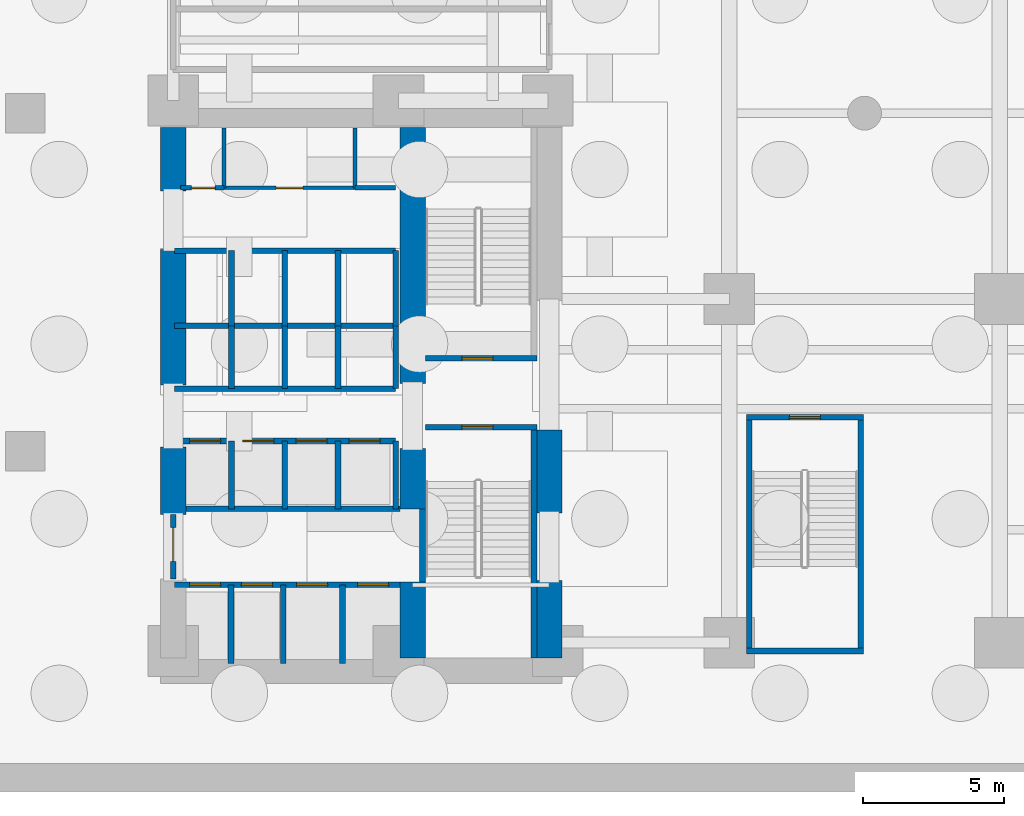
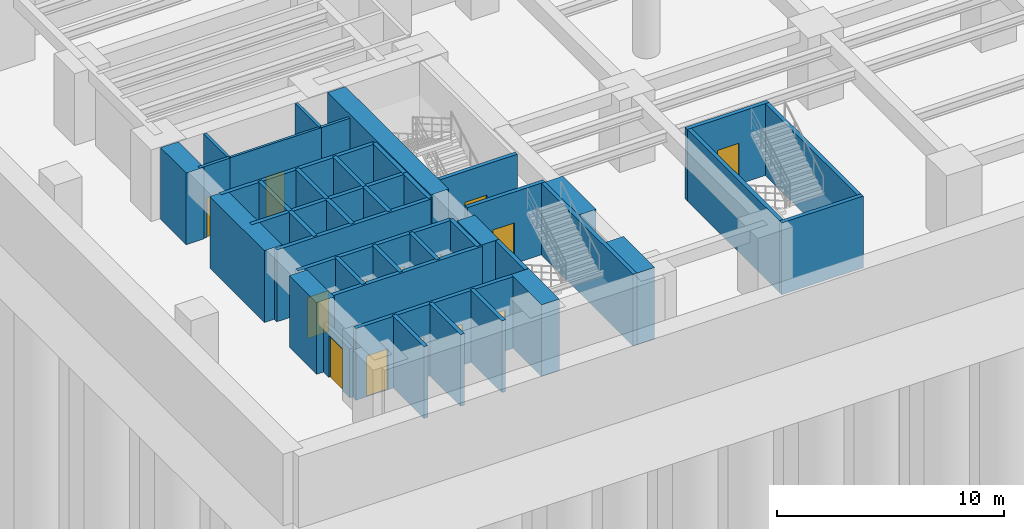
# One storey, part 3 of 6: 43 walls, 14 doors, 14 openings.
"""IFC4 building model written with IfcOpenShell, lengths in metres."""

from ifc_helpers import new_model, si_unit, direction, frame, frame_2d, origin, place, context, subcontext, project, spatial, rectangle, extrude, material, layer, layer_set, type_object, element, fill, save


model = new_model("IFC4")

# Units and contexts
model_context = context("Model", 3, precision=1e-05, world=origin(), true_north=direction((0.0, 1.0)))
body_context = subcontext(model_context, "Body", "Model", "MODEL_VIEW")
ifc_project = project(units=[si_unit("LENGTHUNIT", "METRE"), si_unit("AREAUNIT", "SQUARE_METRE"), si_unit("VOLUMEUNIT", "CUBIC_METRE"), si_unit("PLANEANGLEUNIT", "RADIAN"), si_unit("MASSUNIT", "GRAM", prefix="KILO")], contexts=[model_context])

# Site, building, storey
site_placement = place(None, origin())
site = spatial("IfcSite", under=ifc_project, at=site_placement, CompositionType="ELEMENT")
building_placement = place(site_placement, origin())
building = spatial("IfcBuilding", under=site, at=building_placement, Name="Kolvaren Waterfront Exchange", CompositionType="ELEMENT")
storey_placement = place(building_placement, frame((0.0, 0.0, -8.39990234375)))
storey = spatial("IfcBuildingStorey", under=building, at=storey_placement, Name="B02", CompositionType="ELEMENT", Elevation=-8.39990234375)

# Wall, opening, door
ifc_material_1 = material(Name="Precast concrete C40/50", Category="concrete")
ifc_layer_1 = layer(ifc_material_1, 0.199951171875, Name="Precast concrete C40/50")
ifc_layer_set_1 = layer_set([ifc_layer_1], Name="Precast concrete C40/50")
wall_type_1 = type_object("IfcWallType", Name="ARC-FIRE-200", PredefinedType="PARTITIONING", material=ifc_layer_set_1)
wall_1_placement = place(storey_placement, frame((16.39990234375, 12.85009765625, 0.0), z_axis=(0.0, 0.0, 1.0), x_axis=(1.0, 0.0, 0.0)))
wall_1 = element("IfcWall", 1, at=wall_1_placement, inside=storey, type_object=wall_type_1, Name="B02 interior wall PW-B02-ST1-THROAT-S", PredefinedType="PARTITIONING", context=body_context, shape_type="SweptSolid", body=[
    extrude(rectangle(XDim=3.960205078125, YDim=0.199951171875, at=frame_2d((1.97998046875, 0.0))), origin(), (0.0, 0.0, 1.0), 3.85986328125),
])
opening_1_placement = place(wall_1_placement, frame((1.3037109375, 0.0, 0.0)))
opening_1 = element("IfcOpeningElement", 2, at=opening_1_placement, cuts=wall_1, Name="Opening FD2", PredefinedType="OPENING", context=body_context, shape_type="SweptSolid", body=[
    extrude(rectangle(XDim=1.10009765625, YDim=2.199951171875, at=frame_2d((0.550048828125, 1.10009765625))), frame((0.0, 0.10986328125, 0.0), z_axis=(0.0, -1.0, 0.0), x_axis=(1.0, 0.0, 0.0)), (0.0, 0.0, 1.0), 0.219970703125),
])
ifc_material_2 = material(Name="Pressed steel smoke-seal fire door", Category="steel")
door_type_1 = type_object("IfcDoorType", Name="ARC-FD-1100", OperationType="NOTDEFINED", PredefinedType="DOOR", material=ifc_material_2)
door_1_placement = place(opening_1_placement, frame((1.10009765625, 0.0, 0.0), z_axis=(0.0, 0.0, 1.0), x_axis=(-1.0, 0.0, 0.0)))
door_1 = element("IfcDoor", 3, at=door_1_placement, inside=storey, type_object=door_type_1, Name="B02 door DR-B02-ST1-IN (FD2)", OperationType="SINGLE_SWING_RIGHT", OverallHeight=2.199951171875, OverallWidth=1.10009765625, PredefinedType="DOOR", context=body_context, shape_type="SweptSolid", body=[
    extrude(rectangle(XDim=1.10009765625, YDim=2.199951171875, at=frame_2d((0.550048828125, 1.10009765625))), frame((0.0, 0.02490234375, 0.0), z_axis=(0.0, -1.0, 0.0), x_axis=(1.0, 0.0, 0.0)), (0.0, 0.0, 1.0), 0.050048828125),
])
fill(opening_1, door_1)

wall_2_placement = place(storey_placement, frame((16.409912109375, 15.300048828125, 0.0), z_axis=(0.0, 0.0, 1.0), x_axis=(1.0, 0.0, 0.0)))
wall_2 = element("IfcWall", 4, at=wall_2_placement, inside=storey, type_object=wall_type_1, Name="B02 interior wall PW-B02-ST2-THROAT-N", PredefinedType="PARTITIONING", context=body_context, shape_type="SweptSolid", body=[
    extrude(rectangle(XDim=3.9501953125, YDim=0.199951171875, at=frame_2d((1.97509765625, 0.0))), origin(), (0.0, 0.0, 1.0), 3.85986328125),
])
opening_2_placement = place(wall_2_placement, frame((1.293701171875, 0.0, 0.0)))
opening_2 = element("IfcOpeningElement", 5, at=opening_2_placement, cuts=wall_2, Name="Opening FD2", PredefinedType="OPENING", context=body_context, shape_type="SweptSolid", body=[
    extrude(rectangle(XDim=1.10009765625, YDim=2.199951171875, at=frame_2d((0.550048828125, 1.10009765625))), frame((0.0, 0.10986328125, 0.0), z_axis=(0.0, -1.0, 0.0), x_axis=(1.0, 0.0, 0.0)), (0.0, 0.0, 1.0), 0.219970703125),
])
door_2_placement = place(opening_2_placement, origin())
door_2 = element("IfcDoor", 6, at=door_2_placement, inside=storey, type_object=door_type_1, Name="B02 door DR-B02-ST2-IN (FD2)", OperationType="SINGLE_SWING_LEFT", OverallHeight=2.199951171875, OverallWidth=1.10009765625, PredefinedType="DOOR", context=body_context, shape_type="SweptSolid", body=[
    extrude(rectangle(XDim=1.10009765625, YDim=2.199951171875, at=frame_2d((0.550048828125, 1.10009765625))), frame((0.0, 0.02490234375, 0.0), z_axis=(0.0, -1.0, 0.0), x_axis=(1.0, 0.0, 0.0)), (0.0, 0.0, 1.0), 0.050048828125),
])
fill(opening_2, door_2)

# Wall
wall_3_placement = place(storey_placement, frame((7.89990234375, 9.949951171875, 0.0), z_axis=(0.0, 0.0, 1.0), x_axis=(1.0, 0.0, 0.0)))
element("IfcWall", 7, at=wall_3_placement, inside=storey, type_object=wall_type_1, Name="B02 interior wall PW-B02-FF-N", PredefinedType="PARTITIONING", context=body_context, shape_type="SweptSolid", body=[
    extrude(rectangle(XDim=7.60009765625, YDim=0.199951171875, at=frame_2d((3.800048828125, 0.0))), origin(), (0.0, 0.0, 1.0), 3.85986328125),
])

# Wall, opening, door
wall_4_placement = place(storey_placement, frame((7.449951171875, 7.449951171875, 0.0), z_axis=(0.0, 0.0, 1.0), x_axis=(0.0, 1.0, 0.0)))
wall_4 = element("IfcWall", 8, at=wall_4_placement, inside=storey, type_object=wall_type_1, Name="B02 interior wall PW-B02-FF-W-DOOR", PredefinedType="PARTITIONING", context=body_context, shape_type="SweptSolid", body=[
    extrude(rectangle(XDim=2.300048828125, YDim=0.199951171875, at=frame_2d((1.14990234375, 0.0))), origin(), (0.0, 0.0, 1.0), 2.639892578125),
])
opening_3_placement = place(wall_4_placement, frame((0.63330078125, 0.0, 0.0)))
opening_3 = element("IfcOpeningElement", 9, at=opening_3_placement, cuts=wall_4, Name="Opening FD3", PredefinedType="OPENING", context=body_context, shape_type="SweptSolid", body=[
    extrude(rectangle(XDim=1.199951171875, YDim=2.25, at=frame_2d((0.60009765625, 1.125))), frame((0.0, 0.10986328125, 0.0), z_axis=(0.0, -1.0, 0.0), x_axis=(1.0, 0.0, 0.0)), (0.0, 0.0, 1.0), 0.219970703125),
])
ifc_material_3 = material(Name="Pressed steel fire door", Category="steel")
door_type_2 = type_object("IfcDoorType", Name="ARC-FD-1200", OperationType="NOTDEFINED", PredefinedType="DOOR", material=ifc_material_3)
door_3_placement = place(opening_3_placement, frame((1.199951171875, 0.0, 0.0), z_axis=(0.0, 0.0, 1.0), x_axis=(-1.0, 0.0, 0.0)))
door_3 = element("IfcDoor", 10, at=door_3_placement, inside=storey, type_object=door_type_2, Name="B02 door DR-B02-FF-OUT (FD3)", OperationType="SINGLE_SWING_LEFT", OverallHeight=2.25, OverallWidth=1.199951171875, PredefinedType="DOOR", context=body_context, shape_type="SweptSolid", body=[
    extrude(rectangle(XDim=1.199951171875, YDim=2.25, at=frame_2d((0.60009765625, 1.125))), frame((0.0, 0.02490234375, 0.0), z_axis=(0.0, -1.0, 0.0), x_axis=(1.0, 0.0, 0.0)), (0.0, 0.0, 1.0), 0.050048828125),
])
fill(opening_3, door_3)

ifc_material_4 = material(Name="Acoustic gypsum steel stud", Category="steel")
ifc_layer_2 = layer(ifc_material_4, 0.125, Name="Acoustic gypsum steel stud")
ifc_layer_set_2 = layer_set([ifc_layer_2], Name="Acoustic gypsum steel stud")
wall_type_2 = type_object("IfcWallType", Name="ARC-PART-125", PredefinedType="PARTITIONING", material=ifc_layer_set_2)
wall_5_placement = place(storey_placement, frame((9.25, 21.35009765625, 0.0), z_axis=(0.0, 0.0, 1.0), x_axis=(1.0, 0.0, 0.0)))
wall_5 = element("IfcWall", 11, at=wall_5_placement, inside=storey, type_object=wall_type_2, Name="B02 interior wall PW-B02-SVC-EX-S", PredefinedType="PARTITIONING", context=body_context, shape_type="SweptSolid", body=[
    extrude(rectangle(XDim=4.64990234375, YDim=0.125, at=frame_2d((2.324951171875, 0.0))), origin(), (0.0, 0.0, 1.0), 3.85986328125),
])
opening_4_placement = place(wall_5_placement, frame((1.85009765625, 0.0, 0.0)))
opening_4 = element("IfcOpeningElement", 12, at=opening_4_placement, cuts=wall_5, Name="Opening D02", PredefinedType="OPENING", context=body_context, shape_type="SweptSolid", body=[
    extrude(rectangle(XDim=0.949951171875, YDim=2.14990234375, at=frame_2d((0.47509765625, 1.074951171875))), frame((0.0, 0.072509765625, 0.0), z_axis=(0.0, -1.0, 0.0), x_axis=(1.0, 0.0, 0.0)), (0.0, 0.0, 1.0), 0.14501953125),
])
ifc_material_5 = material(Name="Oak veneer acoustic timber", Category="wood")
door_type_3 = type_object("IfcDoorType", Name="ARC-DR-950", OperationType="NOTDEFINED", PredefinedType="DOOR", material=ifc_material_5)
door_4_placement = place(opening_4_placement, origin())
door_4 = element("IfcDoor", 13, at=door_4_placement, inside=storey, type_object=door_type_3, Name="B02 door DR-B02-SVC-DR-1 (D02)", OperationType="SINGLE_SWING_LEFT", OverallHeight=2.14990234375, OverallWidth=0.949951171875, PredefinedType="DOOR", context=body_context, shape_type="SweptSolid", body=[
    extrude(rectangle(XDim=0.949951171875, YDim=2.14990234375, at=frame_2d((0.47509765625, 1.074951171875))), frame((0.0, 0.02490234375, 0.0), z_axis=(0.0, -1.0, 0.0), x_axis=(1.0, 0.0, 0.0)), (0.0, 0.0, 1.0), 0.050048828125),
])
fill(opening_4, door_4)

# Walls
ifc_material_6 = material(Name="Gypsum fireboard steel stud", Category="steel")
ifc_layer_3 = layer(ifc_material_6, 0.14990234375, Name="Gypsum fireboard steel stud")
ifc_layer_set_3 = layer_set([ifc_layer_3], Name="Gypsum fireboard steel stud")
wall_type_3 = type_object("IfcWallType", Name="ARC-PART-150", PredefinedType="PARTITIONING", material=ifc_layer_set_3)
for number, where, z_axis, x_axis, name in (
    (14, (9.25, 21.35009765625, 0.0), (0.0, 0.0, 1.0), (0.0, 1.0, 0.0), "B02 interior wall PW-B02-SVC-R1"),
    (15, (13.89990234375, 21.35009765625, 0.0), (0.0, 0.0, 1.0), (0.0, 1.0, 0.0), "B02 interior wall PW-B02-SVC-R2"),
):
    element("IfcWall", number, at=place(storey_placement, frame(where, z_axis=z_axis, x_axis=x_axis)), inside=storey, type_object=wall_type_3, Name=name, PredefinedType="PARTITIONING", context=body_context, shape_type="SweptSolid", body=[
        extrude(rectangle(XDim=2.1298828125, YDim=0.14990234375, at=frame_2d((1.06494140625, 0.0))), origin(), (0.0, 0.0, 1.0), 3.85986328125),
    ])

# Wall, opening, door
wall_6_placement = place(storey_placement, frame((7.699951171875, 21.35009765625, 0.0), z_axis=(0.0, 0.0, 1.0), x_axis=(1.0, 0.0, 0.0)))
wall_6 = element("IfcWall", 16, at=wall_6_placement, inside=storey, type_object=wall_type_3, Name="B02 interior wall PW-B02-SVC-RE-S", PredefinedType="PARTITIONING", context=body_context, shape_type="SweptSolid", body=[
    extrude(rectangle(XDim=1.550048828125, YDim=0.14990234375, at=frame_2d((0.77490234375, 0.0))), origin(), (0.0, 0.0, 1.0), 3.85986328125),
])
opening_5_placement = place(wall_6_placement, frame((0.389892578125, 0.0, 0.0)))
opening_5 = element("IfcOpeningElement", 17, at=opening_5_placement, cuts=wall_6, Name="Opening FD1", PredefinedType="OPENING", context=body_context, shape_type="SweptSolid", body=[
    extrude(rectangle(XDim=0.85009765625, YDim=2.14990234375, at=frame_2d((0.425048828125, 1.074951171875))), frame((0.0, 0.0849609375, 0.0), z_axis=(0.0, -1.0, 0.0), x_axis=(1.0, 0.0, 0.0)), (0.0, 0.0, 1.0), 0.169921875),
])
ifc_material_7 = material(Name="Pressed steel fire leaf", Category="steel")
door_type_4 = type_object("IfcDoorType", Name="ARC-FD-900", OperationType="NOTDEFINED", PredefinedType="DOOR", material=ifc_material_7)
door_5_placement = place(opening_5_placement, origin())
door_5 = element("IfcDoor", 18, at=door_5_placement, inside=storey, type_object=door_type_4, Name="B02 door DR-B02-RISER-E-DR (FD1)", OperationType="SINGLE_SWING_RIGHT", OverallHeight=2.14990234375, OverallWidth=0.85009765625, PredefinedType="DOOR", context=body_context, shape_type="SweptSolid", body=[
    extrude(rectangle(XDim=0.85009765625, YDim=2.14990234375, at=frame_2d((0.425048828125, 1.074951171875))), frame((0.0, 0.02490234375, 0.0), z_axis=(0.0, -1.0, 0.0), x_axis=(1.0, 0.0, 0.0)), (0.0, 0.0, 1.0), 0.050048828125),
])
fill(opening_5, door_5)

# Walls
wall_7_placement = place(storey_placement, frame((13.89990234375, 21.35009765625, 0.0), z_axis=(0.0, 0.0, 1.0), x_axis=(1.0, 0.0, 0.0)))
element("IfcWall", 19, at=wall_7_placement, inside=storey, type_object=wall_type_3, Name="B02 interior wall PW-B02-SVC-RP-S", PredefinedType="PARTITIONING", context=body_context, shape_type="SweptSolid", body=[
    extrude(rectangle(XDim=1.4501953125, YDim=0.14990234375, at=frame_2d((0.72509765625, 0.0))), origin(), (0.0, 0.0, 1.0), 3.85986328125),
])
ifc_material_8 = material(Name="Concrete C40/50", Category="concrete")
ifc_layer_4 = layer(ifc_material_8, 0.199951171875, Name="Concrete C40/50")
ifc_layer_set_4 = layer_set([ifc_layer_4], Name="Concrete C40/50")
wall_type_4 = type_object("IfcWallType", Name="ARC-SHAFT-200", PredefinedType="PARTITIONING", material=ifc_layer_set_4)
wall_8_placement = place(storey_placement, frame((16.300048828125, 7.360107421875, 0.0), z_axis=(0.0, 0.0, 1.0), x_axis=(0.0, 1.0, 0.0)))
element("IfcWall", 20, at=wall_8_placement, inside=storey, type_object=wall_type_4, Name="B02 structural stairwell wall PW-B02-ST1-W", PredefinedType="SHEAR", context=body_context, shape_type="SweptSolid", body=[
    extrude(rectangle(XDim=2.579833984375, YDim=0.199951171875, at=frame_2d((1.2900390625, 0.0))), origin(), (0.0, 0.0, 1.0), 3.85986328125),
])
wall_9_placement = place(storey_placement, frame((20.260009765625, 4.659912109375, 0.0), z_axis=(0.0, 0.0, 1.0), x_axis=(0.0, 1.0, 0.0)))
element("IfcWall", 21, at=wall_9_placement, inside=storey, type_object=wall_type_4, Name="B02 structural stairwell wall PW-B02-ST1-E", PredefinedType="SHEAR", context=body_context, shape_type="SweptSolid", body=[
    extrude(rectangle(XDim=8.090087890625, YDim=0.199951171875, at=frame_2d((4.044921875, 0.0))), origin(), (0.0, 0.0, 1.0), 3.85986328125),
])
for number, where, z_axis, x_axis, name in (
    (22, (27.89990234375, 5.0, 0.0), (0.0, 0.0, 1.0), (0.0, 1.0, 0.0), "B02 structural stairwell wall PW-B02-ST3-W"),
    (23, (31.860107421875, 5.0, 0.0), (0.0, 0.0, 1.0), (0.0, 1.0, 0.0), "B02 structural stairwell wall PW-B02-ST3-E"),
):
    element("IfcWall", number, at=place(storey_placement, frame(where, z_axis=z_axis, x_axis=x_axis)), inside=storey, type_object=wall_type_4, Name=name, PredefinedType="SHEAR", context=body_context, shape_type="SweptSolid", body=[
        extrude(rectangle(XDim=8.10009765625, YDim=0.199951171875, at=frame_2d((4.050048828125, 0.0))), origin(), (0.0, 0.0, 1.0), 3.85986328125),
    ])
wall_10_placement = place(storey_placement, frame((27.800048828125, 4.89990234375, 0.0), z_axis=(0.0, 0.0, 1.0), x_axis=(1.0, 0.0, 0.0)))
element("IfcWall", 24, at=wall_10_placement, inside=storey, type_object=wall_type_4, Name="B02 structural stairwell wall PW-B02-ST3-S", PredefinedType="SHEAR", context=body_context, shape_type="SweptSolid", body=[
    extrude(rectangle(XDim=4.159912109375, YDim=0.199951171875, at=frame_2d((2.080078125, 0.0))), origin(), (0.0, 0.0, 1.0), 3.85986328125),
])

# Wall, opening, door
wall_11_placement = place(storey_placement, frame((27.800048828125, 13.199951171875, 0.0), z_axis=(0.0, 0.0, 1.0), x_axis=(1.0, 0.0, 0.0)))
wall_11 = element("IfcWall", 25, at=wall_11_placement, inside=storey, type_object=wall_type_4, Name="B02 structural stairwell wall PW-B02-ST3-N", PredefinedType="SHEAR", context=body_context, shape_type="SweptSolid", body=[
    extrude(rectangle(XDim=4.159912109375, YDim=0.199951171875, at=frame_2d((2.080078125, 0.0))), origin(), (0.0, 0.0, 1.0), 3.85986328125),
])
opening_6_placement = place(wall_11_placement, frame((1.530029296875, 0.0, 0.0)))
opening_6 = element("IfcOpeningElement", 26, at=opening_6_placement, cuts=wall_11, Name="Opening FD2", PredefinedType="OPENING", context=body_context, shape_type="SweptSolid", body=[
    extrude(rectangle(XDim=1.10009765625, YDim=2.199951171875, at=frame_2d((0.550048828125, 1.10009765625))), frame((0.0, 0.10986328125, 0.0), z_axis=(0.0, -1.0, 0.0), x_axis=(1.0, 0.0, 0.0)), (0.0, 0.0, 1.0), 0.219970703125),
])
door_6_placement = place(opening_6_placement, frame((1.10009765625, 0.0, 0.0), z_axis=(0.0, 0.0, 1.0), x_axis=(-1.0, 0.0, 0.0)))
door_6 = element("IfcDoor", 27, at=door_6_placement, inside=storey, type_object=door_type_1, Name="B02 door DR-B02-ST3-IN (FD2)", OperationType="SINGLE_SWING_RIGHT", OverallHeight=2.199951171875, OverallWidth=1.10009765625, PredefinedType="DOOR", context=body_context, shape_type="SweptSolid", body=[
    extrude(rectangle(XDim=1.10009765625, YDim=2.199951171875, at=frame_2d((0.550048828125, 1.10009765625))), frame((0.0, 0.02490234375, 0.0), z_axis=(0.0, -1.0, 0.0), x_axis=(1.0, 0.0, 0.0)), (0.0, 0.0, 1.0), 0.050048828125),
])
fill(opening_6, door_6)

# Wall, openings, doors
wall_12_placement = place(storey_placement, frame((7.5, 7.25, 0.0), z_axis=(0.0, 0.0, 1.0), x_axis=(1.0, 0.0, 0.0)))
wall_12 = element("IfcWall", 28, at=wall_12_placement, inside=storey, type_object=wall_type_4, Name="B02 interior wall PW-B02-FF-S", PredefinedType="PARTITIONING", context=body_context, shape_type="SweptSolid", body=[
    extrude(rectangle(XDim=8.35009765625, YDim=0.199951171875, at=frame_2d((4.175048828125, 0.0))), origin(), (0.0, 0.0, 1.0), 3.85986328125),
])
opening_7_placement = place(wall_12_placement, frame((0.530029296875, 0.0, 0.0)))
opening_7 = element("IfcOpeningElement", 29, at=opening_7_placement, cuts=wall_12, Name="Opening LD1", PredefinedType="OPENING", context=body_context, shape_type="SweptSolid", body=[
    extrude(rectangle(XDim=1.10009765625, YDim=2.199951171875, at=frame_2d((0.550048828125, 1.10009765625))), frame((0.0, 0.10986328125, 0.0), z_axis=(0.0, -1.0, 0.0), x_axis=(1.0, 0.0, 0.0)), (0.0, 0.0, 1.0), 0.219970703125),
])
opening_8_placement = place(wall_12_placement, frame((2.3701171875, 0.0, 0.0)))
opening_8 = element("IfcOpeningElement", 30, at=opening_8_placement, cuts=wall_12, Name="Opening LD1", PredefinedType="OPENING", context=body_context, shape_type="SweptSolid", body=[
    extrude(rectangle(XDim=1.10009765625, YDim=2.199951171875, at=frame_2d((0.550048828125, 1.10009765625))), frame((0.0, 0.10986328125, 0.0), z_axis=(0.0, -1.0, 0.0), x_axis=(1.0, 0.0, 0.0)), (0.0, 0.0, 1.0), 0.219970703125),
])
opening_9_placement = place(wall_12_placement, frame((4.330078125, 0.0, 0.0)))
opening_9 = element("IfcOpeningElement", 31, at=opening_9_placement, cuts=wall_12, Name="Opening LD1", PredefinedType="OPENING", context=body_context, shape_type="SweptSolid", body=[
    extrude(rectangle(XDim=1.10009765625, YDim=2.199951171875, at=frame_2d((0.550048828125, 1.10009765625))), frame((0.0, 0.10986328125, 0.0), z_axis=(0.0, -1.0, 0.0), x_axis=(1.0, 0.0, 0.0)), (0.0, 0.0, 1.0), 0.219970703125),
])
opening_10_placement = place(wall_12_placement, frame((6.5, 0.0, 0.0)))
opening_10 = element("IfcOpeningElement", 32, at=opening_10_placement, cuts=wall_12, Name="Opening LD1", PredefinedType="OPENING", context=body_context, shape_type="SweptSolid", body=[
    extrude(rectangle(XDim=1.10009765625, YDim=2.199951171875, at=frame_2d((0.550048828125, 1.10009765625))), frame((0.0, 0.10986328125, 0.0), z_axis=(0.0, -1.0, 0.0), x_axis=(1.0, 0.0, 0.0)), (0.0, 0.0, 1.0), 0.219970703125),
])
ifc_material_9 = material(Name="Stainless steel sliding landing door", Category="steel")
door_type_5 = type_object("IfcDoorType", Name="ARC-LD-FF", OperationType="SLIDING_TO_LEFT", PredefinedType="DOOR", material=ifc_material_9)
door_7_placement = place(opening_7_placement, origin())
door_7 = element("IfcDoor", 33, at=door_7_placement, inside=storey, type_object=door_type_5, Name="B02 door LD-B02-FFL1 (LD1)", OperationType="SLIDING_TO_LEFT", OverallHeight=2.199951171875, OverallWidth=1.10009765625, PredefinedType="DOOR", context=body_context, shape_type="SweptSolid", body=[
    extrude(rectangle(XDim=1.10009765625, YDim=2.199951171875, at=frame_2d((0.550048828125, 1.10009765625))), frame((0.0, 0.02490234375, 0.0), z_axis=(0.0, -1.0, 0.0), x_axis=(1.0, 0.0, 0.0)), (0.0, 0.0, 1.0), 0.050048828125),
])
fill(opening_7, door_7)
door_8_placement = place(opening_8_placement, origin())
door_8 = element("IfcDoor", 34, at=door_8_placement, inside=storey, type_object=door_type_5, Name="B02 door LD-B02-FFL2 (LD1)", OperationType="SLIDING_TO_LEFT", OverallHeight=2.199951171875, OverallWidth=1.10009765625, PredefinedType="DOOR", context=body_context, shape_type="SweptSolid", body=[
    extrude(rectangle(XDim=1.10009765625, YDim=2.199951171875, at=frame_2d((0.550048828125, 1.10009765625))), frame((0.0, 0.02490234375, 0.0), z_axis=(0.0, -1.0, 0.0), x_axis=(1.0, 0.0, 0.0)), (0.0, 0.0, 1.0), 0.050048828125),
])
fill(opening_8, door_8)
door_9_placement = place(opening_9_placement, origin())
door_9 = element("IfcDoor", 35, at=door_9_placement, inside=storey, type_object=door_type_5, Name="B02 door LD-B02-GL1 (LD1)", OperationType="SLIDING_TO_LEFT", OverallHeight=2.199951171875, OverallWidth=1.10009765625, PredefinedType="DOOR", context=body_context, shape_type="SweptSolid", body=[
    extrude(rectangle(XDim=1.10009765625, YDim=2.199951171875, at=frame_2d((0.550048828125, 1.10009765625))), frame((0.0, 0.02490234375, 0.0), z_axis=(0.0, -1.0, 0.0), x_axis=(1.0, 0.0, 0.0)), (0.0, 0.0, 1.0), 0.050048828125),
])
fill(opening_9, door_9)
door_10_placement = place(opening_10_placement, origin())
door_10 = element("IfcDoor", 36, at=door_10_placement, inside=storey, type_object=door_type_5, Name="B02 door LD-B02-GL2 (LD1)", OperationType="SLIDING_TO_LEFT", OverallHeight=2.199951171875, OverallWidth=1.10009765625, PredefinedType="DOOR", context=body_context, shape_type="SweptSolid", body=[
    extrude(rectangle(XDim=1.10009765625, YDim=2.199951171875, at=frame_2d((0.550048828125, 1.10009765625))), frame((0.0, 0.02490234375, 0.0), z_axis=(0.0, -1.0, 0.0), x_axis=(1.0, 0.0, 0.0)), (0.0, 0.0, 1.0), 0.050048828125),
])
fill(opening_10, door_10)

# Walls
for number, where, z_axis, x_axis, name in (
    (37, (9.5, 4.449951171875, 0.0), (0.0, 0.0, 1.0), (0.0, 1.0, 0.0), "B02 interior wall PW-B02-SH1-DIV-95"),
    (38, (11.360107421875, 4.449951171875, 0.0), (0.0, 0.0, 1.0), (0.0, 1.0, 0.0), "B02 interior wall PW-B02-SH1-DIV-113"),
    (39, (13.4599609375, 4.449951171875, 0.0), (0.0, 0.0, 1.0), (0.0, 1.0, 0.0), "B02 interior wall PW-B02-SH1-DIV-134"),
):
    element("IfcWall", number, at=place(storey_placement, frame(where, z_axis=z_axis, x_axis=x_axis)), inside=storey, type_object=wall_type_4, Name=name, PredefinedType="PARTITIONING", context=body_context, shape_type="SweptSolid", body=[
        extrude(rectangle(XDim=2.800048828125, YDim=0.199951171875, at=frame_2d((1.39990234375, 0.0))), origin(), (0.0, 0.0, 1.0), 3.85986328125),
    ])

# Wall, openings, doors
wall_13_placement = place(storey_placement, frame((7.5, 12.360107421875, 0.0), z_axis=(0.0, 0.0, 1.0), x_axis=(1.0, 0.0, 0.0)))
wall_13 = element("IfcWall", 40, at=wall_13_placement, inside=storey, type_object=wall_type_4, Name="B02 interior wall PW-B02-PL-N", PredefinedType="PARTITIONING", context=body_context, shape_type="SweptSolid", body=[
    extrude(rectangle(XDim=7.85009765625, YDim=0.199951171875, at=frame_2d((3.925048828125, 0.0))), origin(), (0.0, 0.0, 1.0), 3.85986328125),
])
opening_11_placement = place(wall_13_placement, frame((0.530029296875, 0.0, 0.0)))
opening_11 = element("IfcOpeningElement", 41, at=opening_11_placement, cuts=wall_13, Name="Opening LD2", PredefinedType="OPENING", context=body_context, shape_type="SweptSolid", body=[
    extrude(rectangle(XDim=1.10009765625, YDim=2.199951171875, at=frame_2d((0.550048828125, 1.10009765625))), frame((0.0, 0.10986328125, 0.0), z_axis=(0.0, -1.0, 0.0), x_axis=(1.0, 0.0, 0.0)), (0.0, 0.0, 1.0), 0.219970703125),
])
opening_12_placement = place(wall_13_placement, frame((2.419921875, 0.0, 0.0)))
opening_12 = element("IfcOpeningElement", 42, at=opening_12_placement, cuts=wall_13, Name="Opening LD2", PredefinedType="OPENING", context=body_context, shape_type="SweptSolid", body=[
    extrude(rectangle(XDim=1.10009765625, YDim=2.199951171875, at=frame_2d((0.550048828125, 1.10009765625))), frame((0.0, 0.10986328125, 0.0), z_axis=(0.0, -1.0, 0.0), x_axis=(1.0, 0.0, 0.0)), (0.0, 0.0, 1.0), 0.219970703125),
])
opening_13_placement = place(wall_13_placement, frame((4.31005859375, 0.0, 0.0)))
opening_13 = element("IfcOpeningElement", 43, at=opening_13_placement, cuts=wall_13, Name="Opening LD2", PredefinedType="OPENING", context=body_context, shape_type="SweptSolid", body=[
    extrude(rectangle(XDim=1.10009765625, YDim=2.199951171875, at=frame_2d((0.550048828125, 1.10009765625))), frame((0.0, 0.10986328125, 0.0), z_axis=(0.0, -1.0, 0.0), x_axis=(1.0, 0.0, 0.0)), (0.0, 0.0, 1.0), 0.219970703125),
])
opening_14_placement = place(wall_13_placement, frame((6.199951171875, 0.0, 0.0)))
opening_14 = element("IfcOpeningElement", 44, at=opening_14_placement, cuts=wall_13, Name="Opening LD2", PredefinedType="OPENING", context=body_context, shape_type="SweptSolid", body=[
    extrude(rectangle(XDim=1.10009765625, YDim=2.199951171875, at=frame_2d((0.550048828125, 1.10009765625))), frame((0.0, 0.10986328125, 0.0), z_axis=(0.0, -1.0, 0.0), x_axis=(1.0, 0.0, 0.0)), (0.0, 0.0, 1.0), 0.219970703125),
])
ifc_material_10 = material(Name="Brushed bronze sliding landing door", Category="aluminium")
door_type_6 = type_object("IfcDoorType", Name="ARC-LD-PAX", OperationType="SLIDING_TO_LEFT", PredefinedType="DOOR", material=ifc_material_10)
door_11_placement = place(opening_11_placement, origin())
door_11 = element("IfcDoor", 45, at=door_11_placement, inside=storey, type_object=door_type_6, Name="B02 door LD-B02-PL1 (LD2)", OperationType="SLIDING_TO_LEFT", OverallHeight=2.199951171875, OverallWidth=1.10009765625, PredefinedType="DOOR", context=body_context, shape_type="SweptSolid", body=[
    extrude(rectangle(XDim=1.10009765625, YDim=2.199951171875, at=frame_2d((0.550048828125, 1.10009765625))), frame((0.0, 0.02490234375, 0.0), z_axis=(0.0, -1.0, 0.0), x_axis=(1.0, 0.0, 0.0)), (0.0, 0.0, 1.0), 0.050048828125),
])
fill(opening_11, door_11)
door_12_placement = place(opening_12_placement, origin())
door_12 = element("IfcDoor", 46, at=door_12_placement, inside=storey, type_object=door_type_6, Name="B02 door LD-B02-PL2 (LD2)", OperationType="SLIDING_TO_LEFT", OverallHeight=2.199951171875, OverallWidth=1.10009765625, PredefinedType="DOOR", context=body_context, shape_type="SweptSolid", body=[
    extrude(rectangle(XDim=1.10009765625, YDim=2.199951171875, at=frame_2d((0.550048828125, 1.10009765625))), frame((0.0, 0.02490234375, 0.0), z_axis=(0.0, -1.0, 0.0), x_axis=(1.0, 0.0, 0.0)), (0.0, 0.0, 1.0), 0.050048828125),
])
fill(opening_12, door_12)
door_13_placement = place(opening_13_placement, origin())
door_13 = element("IfcDoor", 47, at=door_13_placement, inside=storey, type_object=door_type_6, Name="B02 door LD-B02-PL3 (LD2)", OperationType="SLIDING_TO_LEFT", OverallHeight=2.199951171875, OverallWidth=1.10009765625, PredefinedType="DOOR", context=body_context, shape_type="SweptSolid", body=[
    extrude(rectangle(XDim=1.10009765625, YDim=2.199951171875, at=frame_2d((0.550048828125, 1.10009765625))), frame((0.0, 0.02490234375, 0.0), z_axis=(0.0, -1.0, 0.0), x_axis=(1.0, 0.0, 0.0)), (0.0, 0.0, 1.0), 0.050048828125),
])
fill(opening_13, door_13)
door_14_placement = place(opening_14_placement, origin())
door_14 = element("IfcDoor", 48, at=door_14_placement, inside=storey, type_object=door_type_6, Name="B02 door LD-B02-PL4 (LD2)", OperationType="SLIDING_TO_LEFT", OverallHeight=2.199951171875, OverallWidth=1.10009765625, PredefinedType="DOOR", context=body_context, shape_type="SweptSolid", body=[
    extrude(rectangle(XDim=1.10009765625, YDim=2.199951171875, at=frame_2d((0.550048828125, 1.10009765625))), frame((0.0, 0.02490234375, 0.0), z_axis=(0.0, -1.0, 0.0), x_axis=(1.0, 0.0, 0.0)), (0.0, 0.0, 1.0), 0.050048828125),
])
fill(opening_14, door_14)

# Walls
for number, where, z_axis, x_axis, name in (
    (49, (15.35009765625, 9.949951171875, 0.0), (0.0, 0.0, 1.0), (0.0, 1.0, 0.0), "B02 interior wall PW-B02-PL-E"),
    (50, (9.52001953125, 9.949951171875, 0.0), (0.0, 0.0, 1.0), (0.0, 1.0, 0.0), "B02 interior wall PW-B02-SH2-DIV-95"),
    (51, (11.409912109375, 9.949951171875, 0.0), (0.0, 0.0, 1.0), (0.0, 1.0, 0.0), "B02 interior wall PW-B02-SH2-DIV-114"),
    (52, (13.300048828125, 9.949951171875, 0.0), (0.0, 0.0, 1.0), (0.0, 1.0, 0.0), "B02 interior wall PW-B02-SH2-DIV-133"),
):
    element("IfcWall", number, at=place(storey_placement, frame(where, z_axis=z_axis, x_axis=x_axis)), inside=storey, type_object=wall_type_4, Name=name, PredefinedType="PARTITIONING", context=body_context, shape_type="SweptSolid", body=[
        extrude(rectangle(XDim=2.41015625, YDim=0.199951171875, at=frame_2d((1.205078125, 0.0))), origin(), (0.0, 0.0, 1.0), 3.85986328125),
    ])
for number, where, z_axis, x_axis, name in (
    (53, (7.5, 14.219970703125, 0.0), (0.0, 0.0, 1.0), (1.0, 0.0, 0.0), "B02 interior wall PW-B02-PM-S"),
    (54, (7.5, 16.449951171875, 0.0), (0.0, 0.0, 1.0), (1.0, 0.0, 0.0), "B02 interior wall PW-B02-PM-N"),
):
    element("IfcWall", number, at=place(storey_placement, frame(where, z_axis=z_axis, x_axis=x_axis)), inside=storey, type_object=wall_type_4, Name=name, PredefinedType="PARTITIONING", context=body_context, shape_type="SweptSolid", body=[
        extrude(rectangle(XDim=7.85009765625, YDim=0.199951171875, at=frame_2d((3.925048828125, 0.0))), origin(), (0.0, 0.0, 1.0), 3.85986328125),
    ])
for number, where, z_axis, x_axis, name in (
    (55, (15.35009765625, 14.219970703125, 0.0), (0.0, 0.0, 1.0), (0.0, 1.0, 0.0), "B02 interior wall PW-B02-PM-E"),
    (56, (9.52001953125, 14.219970703125, 0.0), (0.0, 0.0, 1.0), (0.0, 1.0, 0.0), "B02 interior wall PW-B02-SH3-DIV-95"),
    (57, (11.409912109375, 14.219970703125, 0.0), (0.0, 0.0, 1.0), (0.0, 1.0, 0.0), "B02 interior wall PW-B02-SH3-DIV-114"),
    (58, (13.300048828125, 14.219970703125, 0.0), (0.0, 0.0, 1.0), (0.0, 1.0, 0.0), "B02 interior wall PW-B02-SH3-DIV-133"),
):
    element("IfcWall", number, at=place(storey_placement, frame(where, z_axis=z_axis, x_axis=x_axis)), inside=storey, type_object=wall_type_4, Name=name, PredefinedType="PARTITIONING", context=body_context, shape_type="SweptSolid", body=[
        extrude(rectangle(XDim=2.22998046875, YDim=0.199951171875, at=frame_2d((1.114990234375, 0.0))), origin(), (0.0, 0.0, 1.0), 3.85986328125),
    ])
wall_14_placement = place(storey_placement, frame((7.5, 19.1201171875, 0.0), z_axis=(0.0, 0.0, 1.0), x_axis=(1.0, 0.0, 0.0)))
element("IfcWall", 59, at=wall_14_placement, inside=storey, type_object=wall_type_4, Name="B02 interior wall PW-B02-PH-N", PredefinedType="PARTITIONING", context=body_context, shape_type="SweptSolid", body=[
    extrude(rectangle(XDim=7.85009765625, YDim=0.199951171875, at=frame_2d((3.925048828125, 0.0))), origin(), (0.0, 0.0, 1.0), 3.85986328125),
])
for number, where, z_axis, x_axis, name in (
    (60, (15.35009765625, 16.449951171875, 0.0), (0.0, 0.0, 1.0), (0.0, 1.0, 0.0), "B02 interior wall PW-B02-PH-E"),
    (61, (9.52001953125, 16.449951171875, 0.0), (0.0, 0.0, 1.0), (0.0, 1.0, 0.0), "B02 interior wall PW-B02-SH4-DIV-95"),
    (62, (11.409912109375, 16.449951171875, 0.0), (0.0, 0.0, 1.0), (0.0, 1.0, 0.0), "B02 interior wall PW-B02-SH4-DIV-114"),
    (63, (13.300048828125, 16.449951171875, 0.0), (0.0, 0.0, 1.0), (0.0, 1.0, 0.0), "B02 interior wall PW-B02-SH4-DIV-133"),
):
    element("IfcWall", number, at=place(storey_placement, frame(where, z_axis=z_axis, x_axis=x_axis)), inside=storey, type_object=wall_type_4, Name=name, PredefinedType="PARTITIONING", context=body_context, shape_type="SweptSolid", body=[
        extrude(rectangle(XDim=2.670166015625, YDim=0.199951171875, at=frame_2d((1.3349609375, 0.0))), origin(), (0.0, 0.0, 1.0), 3.85986328125),
    ])
ifc_material_11 = material(Name="Concrete C70/85", Category="concrete")
ifc_layer_5 = layer(ifc_material_11, 0.89990234375, Name="Concrete C70/85")
ifc_layer_set_5 = layer_set([ifc_layer_5], Name="Concrete C70/85")
wall_type_5 = type_object("IfcWallType", Name="STR-CWALL-900", PredefinedType="SHEAR", material=ifc_layer_set_5)
wall_15_placement = place(storey_placement, frame((7.449951171875, 9.75, 0.0), z_axis=(0.0, 0.0, 1.0), x_axis=(0.0, 1.0, 0.0)))
element("IfcWall", 64, at=wall_15_placement, inside=storey, type_object=wall_type_5, Name="B02 rear-core shear wall W2A", PredefinedType="SHEAR", context=body_context, shape_type="SweptSolid", body=[
    extrude(rectangle(XDim=2.39990234375, YDim=0.89990234375, at=frame_2d((1.199951171875, 0.0))), origin(), (0.0, 0.0, 1.0), 3.85986328125),
])
wall_16_placement = place(storey_placement, frame((7.449951171875, 14.35009765625, 0.0), z_axis=(0.0, 0.0, 1.0), x_axis=(0.0, 1.0, 0.0)))
element("IfcWall", 65, at=wall_16_placement, inside=storey, type_object=wall_type_5, Name="B02 rear-core shear wall W2B", PredefinedType="SHEAR", context=body_context, shape_type="SweptSolid", body=[
    extrude(rectangle(XDim=4.809814453125, YDim=0.89990234375, at=frame_2d((2.40478515625, 0.0))), origin(), (0.0, 0.0, 1.0), 3.85986328125),
])
wall_17_placement = place(storey_placement, frame((7.449951171875, 21.239990234375, 0.0), z_axis=(0.0, 0.0, 1.0), x_axis=(0.0, 1.0, 0.0)))
element("IfcWall", 66, at=wall_17_placement, inside=storey, type_object=wall_type_5, Name="B02 rear-core shear wall W3", PredefinedType="SHEAR", context=body_context, shape_type="SweptSolid", body=[
    extrude(rectangle(XDim=2.260009765625, YDim=0.89990234375, at=frame_2d((1.1298828125, 0.0))), origin(), (0.0, 0.0, 1.0), 3.85986328125),
])
wall_18_placement = place(storey_placement, frame((20.800048828125, 4.64990234375, 0.0), z_axis=(0.0, 0.0, 1.0), x_axis=(0.0, 1.0, 0.0)))
element("IfcWall", 67, at=wall_18_placement, inside=storey, type_object=wall_type_5, Name="B02 rear-core shear wall E1", PredefinedType="SHEAR", context=body_context, shape_type="SweptSolid", body=[
    extrude(rectangle(XDim=2.75, YDim=0.89990234375, at=frame_2d((1.375, 0.0))), origin(), (0.0, 0.0, 1.0), 3.85986328125),
])
wall_19_placement = place(storey_placement, frame((20.800048828125, 9.800048828125, 0.0), z_axis=(0.0, 0.0, 1.0), x_axis=(0.0, 1.0, 0.0)))
element("IfcWall", 68, at=wall_19_placement, inside=storey, type_object=wall_type_5, Name="B02 rear-core shear wall E2", PredefinedType="SHEAR", context=body_context, shape_type="SweptSolid", body=[
    extrude(rectangle(XDim=2.949951171875, YDim=0.89990234375, at=frame_2d((1.47509765625, 0.0))), origin(), (0.0, 0.0, 1.0), 3.85986328125),
])
wall_20_placement = place(storey_placement, frame((15.949951171875, 4.64990234375, 0.0), z_axis=(0.0, 0.0, 1.0), x_axis=(0.0, 1.0, 0.0)))
element("IfcWall", 69, at=wall_20_placement, inside=storey, type_object=wall_type_5, Name="B02 rear-core shear wall M1", PredefinedType="SHEAR", context=body_context, shape_type="SweptSolid", body=[
    extrude(rectangle(XDim=2.7001953125, YDim=0.89990234375, at=frame_2d((1.35009765625, 0.0))), origin(), (0.0, 0.0, 1.0), 3.85986328125),
])
wall_21_placement = place(storey_placement, frame((15.949951171875, 9.949951171875, 0.0), z_axis=(0.0, 0.0, 1.0), x_axis=(0.0, 1.0, 0.0)))
element("IfcWall", 70, at=wall_21_placement, inside=storey, type_object=wall_type_5, Name="B02 rear-core shear wall M2", PredefinedType="SHEAR", context=body_context, shape_type="SweptSolid", body=[
    extrude(rectangle(XDim=2.150146484375, YDim=0.89990234375, at=frame_2d((1.0751953125, 0.0))), origin(), (0.0, 0.0, 1.0), 3.85986328125),
])
wall_22_placement = place(storey_placement, frame((15.949951171875, 14.39990234375, 0.0), z_axis=(0.0, 0.0, 1.0), x_axis=(0.0, 1.0, 0.0)))
element("IfcWall", 71, at=wall_22_placement, inside=storey, type_object=wall_type_5, Name="B02 rear-core shear wall M3", PredefinedType="SHEAR", context=body_context, shape_type="SweptSolid", body=[
    extrude(rectangle(XDim=9.10009765625, YDim=0.89990234375, at=frame_2d((4.550048828125, 0.0))), origin(), (0.0, 0.0, 1.0), 3.85986328125),
])

save(model, "model.ifc")
